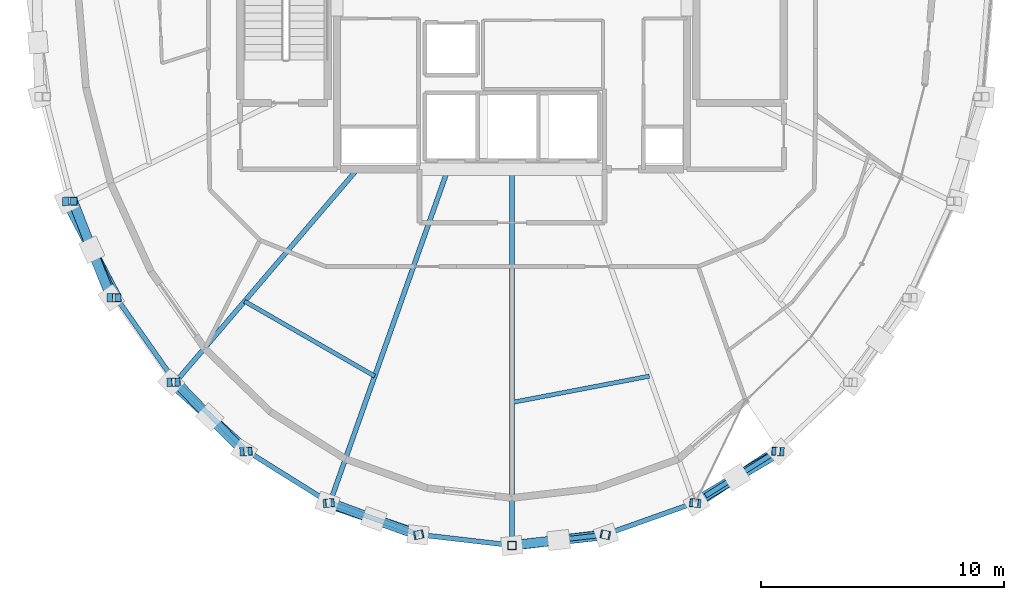
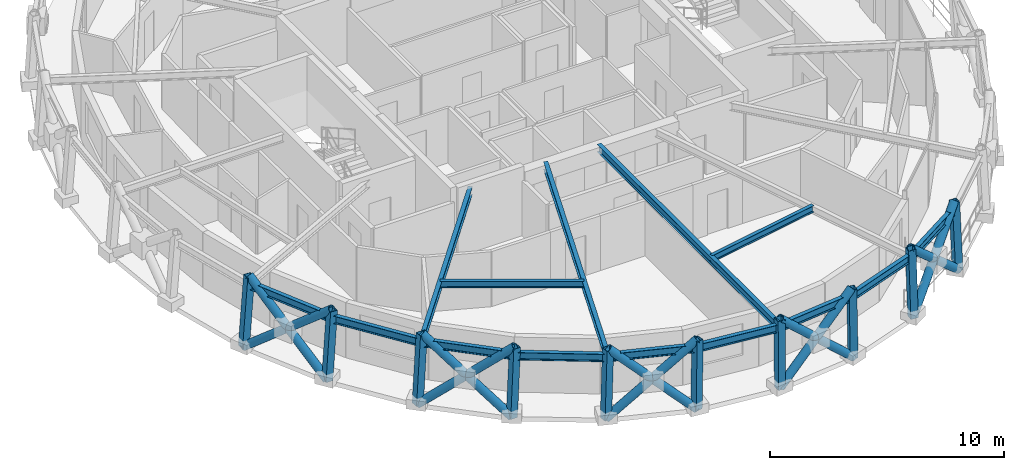
# One storey, part 1 of 15: 25 members, 14 beams.
"""IFC4 building model written with IfcOpenShell, lengths in metres."""

from ifc_helpers import new_model, si_unit, direction, frame, origin, origin_2d, place, context, subcontext, project, spatial, hollow_rectangle, hollow_circle, i_section, extrude, material, material_profile, profile_set, type_object, element, save


model = new_model("IFC4")

# Units and contexts
model_context = context("Model", 3, precision=1e-05, world=origin(), true_north=direction((0.0, 1.0)))
body_context = subcontext(model_context, "Body", "Model", "MODEL_VIEW")
ifc_project = project(units=[si_unit("LENGTHUNIT", "METRE"), si_unit("AREAUNIT", "SQUARE_METRE"), si_unit("VOLUMEUNIT", "CUBIC_METRE"), si_unit("PLANEANGLEUNIT", "RADIAN"), si_unit("MASSUNIT", "GRAM", prefix="KILO")], contexts=[model_context])

# Site, building, storey
site_placement = place(None, origin())
site = spatial("IfcSite", under=ifc_project, at=site_placement, CompositionType="ELEMENT")
building_placement = place(site_placement, origin())
building = spatial("IfcBuilding", under=site, at=building_placement, Name="Veldorina Hangang Commons", CompositionType="ELEMENT")
storey_placement = place(building_placement, frame((0.0, 0.0, 290.39990234375)))
storey = spatial("IfcBuildingStorey", under=building, at=storey_placement, Name="L76", CompositionType="ELEMENT", Elevation=290.39990234375)

# Beams
ifc_material = material(Name="Steel SM355-TMC", Category="steel")
ifc_material_profile_1 = material_profile(ifc_material, i_section(OverallWidth=0.199951171875, OverallDepth=0.39990234375, WebThickness=0.008056640625, FlangeThickness=0.012939453125, FilletRadius=0.012939453125, at=origin_2d()), Name="H-400x200x8x13")
ifc_profile_set_1 = profile_set([ifc_material_profile_1], Name="Steel SM355-TMC")
beam_type_1 = type_object("IfcBeamType", Name="BM-FG400", PredefinedType="BEAM", material=ifc_profile_set_1)
beam_1_placement = place(storey_placement, frame((25.63671875, 16.550048828125, 3.16015625), z_axis=(-0.649450592283, -0.760403792852, 0.0), x_axis=(0.760403792852, -0.649450592283, 0.0)))
element("IfcBeam", 1, at=beam_1_placement, inside=storey, type_object=beam_type_1, Name="L76 radial floor girder 11", PredefinedType="BEAM", context=body_context, shape_type="SweptSolid", body=[
    extrude(i_section(OverallWidth=0.199951171875, OverallDepth=0.39990234375, WebThickness=0.008056640625, FlangeThickness=0.012939453125, FilletRadius=0.012939453125, at=origin_2d()), origin(), (0.0, 0.0, 1.0), 11.51025390625),
])
beam_2_placement = place(storey_placement, frame((29.3642578125, 16.550048828125, 3.16015625), z_axis=(-0.33352818718, -0.94274012769, 0.0), x_axis=(0.94274012769, -0.33352818718, 0.0)))
element("IfcBeam", 2, at=beam_2_placement, inside=storey, type_object=beam_type_1, Name="L76 radial floor girder 12", PredefinedType="BEAM", context=body_context, shape_type="SweptSolid", body=[
    extrude(i_section(OverallWidth=0.199951171875, OverallDepth=0.39990234375, WebThickness=0.008056640625, FlangeThickness=0.012939453125, FilletRadius=0.012939453125, at=origin_2d()), origin(), (0.0, 0.0, 1.0), 14.552734375),
])
beam_3_placement = place(storey_placement, frame((32.0, 16.550048828125, 3.16015625), z_axis=(0.0, -1.0, 0.0), x_axis=(1.0, 0.0, 0.0)))
element("IfcBeam", 3, at=beam_3_placement, inside=storey, type_object=beam_type_1, Name="L76 radial floor girder 13", PredefinedType="BEAM", context=body_context, shape_type="SweptSolid", body=[
    extrude(i_section(OverallWidth=0.199951171875, OverallDepth=0.39990234375, WebThickness=0.008056640625, FlangeThickness=0.012939453125, FilletRadius=0.012939453125, at=origin_2d()), origin(), (0.0, 0.0, 1.0), 15.463623046875),
])
ifc_material_profile_2 = material_profile(ifc_material, i_section(OverallWidth=0.175048828125, OverallDepth=0.35009765625, WebThickness=0.007080078125, FlangeThickness=0.010986328125, FilletRadius=0.012939453125, at=origin_2d()), Name="H-350x175x7x11")
ifc_profile_set_2 = profile_set([ifc_material_profile_2], Name="Steel SM355-TMC")
beam_type_2 = type_object("IfcBeamType", Name="BM-JST350", PredefinedType="JOIST", material=ifc_profile_set_2)
beam_4_placement = place(storey_placement, frame((21.001953125, 11.12353515625, 3.18505859375), z_axis=(0.866794386354, -0.49866571146, 0.0), x_axis=(0.49866571146, 0.866794386354, 0.0)))
element("IfcBeam", 4, at=beam_4_placement, inside=storey, type_object=beam_type_2, Name="L76 secondary floor joist 11", PredefinedType="JOIST", context=body_context, shape_type="SweptSolid", body=[
    extrude(i_section(OverallWidth=0.175048828125, OverallDepth=0.35009765625, WebThickness=0.007080078125, FlangeThickness=0.010986328125, FilletRadius=0.012939453125, at=origin_2d()), origin(), (0.0, 0.0, 1.0), 6.17578125),
])
beam_5_placement = place(storey_placement, frame((32.0, 6.962646484375, 3.18505859375), z_axis=(0.982144339244, 0.188128936879, 0.0), x_axis=(-0.188128936879, 0.982144339244, 0.0)))
element("IfcBeam", 5, at=beam_5_placement, inside=storey, type_object=beam_type_2, Name="L76 secondary floor joist 13", PredefinedType="JOIST", context=body_context, shape_type="SweptSolid", body=[
    extrude(i_section(OverallWidth=0.175048828125, OverallDepth=0.35009765625, WebThickness=0.007080078125, FlangeThickness=0.010986328125, FilletRadius=0.012939453125, at=origin_2d()), origin(), (0.0, 0.0, 1.0), 5.74755859375),
])
ifc_material_profile_3 = material_profile(ifc_material, i_section(OverallWidth=0.199951171875, OverallDepth=0.39990234375, WebThickness=0.008056640625, FlangeThickness=0.012939453125, FilletRadius=0.012939453125, at=origin_2d()), Name="H-400x200x8x13")
ifc_profile_set_3 = profile_set([ifc_material_profile_3], Name="Steel SM355-TMC")
beam_type_3 = type_object("IfcBeamType", Name="BM-RB400", PredefinedType="BEAM", material=ifc_profile_set_3)
beam_6_placement = place(storey_placement, frame((13.9189453125, 15.231201171875, 3.16015625), z_axis=(0.415289323672, -0.909689385254, 0.0), x_axis=(0.909689385254, 0.415289323672, 0.0)))
element("IfcBeam", 6, at=beam_6_placement, inside=storey, type_object=beam_type_3, Name="L76 perimeter hoop ring beam 18", PredefinedType="BEAM", context=body_context, shape_type="SweptSolid", body=[
    extrude(i_section(OverallWidth=0.199951171875, OverallDepth=0.39990234375, WebThickness=0.008056640625, FlangeThickness=0.012939453125, FilletRadius=0.012939453125, at=origin_2d()), origin(), (0.0, 0.0, 1.0), 4.3544921875),
])
beam_7_placement = place(storey_placement, frame((15.727294921875, 11.27001953125, 3.16015625), z_axis=(0.57399930825, -0.818855783474, 0.0), x_axis=(0.818855783474, 0.57399930825, 0.0)))
element("IfcBeam", 7, at=beam_7_placement, inside=storey, type_object=beam_type_3, Name="L76 perimeter hoop ring beam 19", PredefinedType="BEAM", context=body_context, shape_type="SweptSolid", body=[
    extrude(i_section(OverallWidth=0.199951171875, OverallDepth=0.39990234375, WebThickness=0.008056640625, FlangeThickness=0.012939453125, FilletRadius=0.012939453125, at=origin_2d()), origin(), (0.0, 0.0, 1.0), 4.240478515625),
])
beam_8_placement = place(storey_placement, frame((18.161376953125, 7.797607421875, 3.16015625), z_axis=(0.721064584857, -0.692867854981, 0.0), x_axis=(0.692867854981, 0.721064584857, 0.0)))
element("IfcBeam", 8, at=beam_8_placement, inside=storey, type_object=beam_type_3, Name="L76 perimeter hoop ring beam 20", PredefinedType="BEAM", context=body_context, shape_type="SweptSolid", body=[
    extrude(i_section(OverallWidth=0.199951171875, OverallDepth=0.39990234375, WebThickness=0.008056640625, FlangeThickness=0.012939453125, FilletRadius=0.012939453125, at=origin_2d()), origin(), (0.0, 0.0, 1.0), 4.11279296875),
])
beam_9_placement = place(storey_placement, frame((21.126953125, 4.947998046875, 3.16015625), z_axis=(0.847692335446, -0.530488175577, 0.0), x_axis=(0.530488175577, 0.847692335446, 0.0)))
element("IfcBeam", 9, at=beam_9_placement, inside=storey, type_object=beam_type_3, Name="L76 perimeter hoop ring beam 21", PredefinedType="BEAM", context=body_context, shape_type="SweptSolid", body=[
    extrude(i_section(OverallWidth=0.199951171875, OverallDepth=0.39990234375, WebThickness=0.008056640625, FlangeThickness=0.012939453125, FilletRadius=0.012939453125, at=origin_2d()), origin(), (0.0, 0.0, 1.0), 3.991455078125),
])
beam_10_placement = place(storey_placement, frame((24.510498046875, 2.83056640625, 3.16015625), z_axis=(0.942330235689, -0.334684518474, 0.0), x_axis=(0.334684518474, 0.942330235689, 0.0)))
element("IfcBeam", 10, at=beam_10_placement, inside=storey, type_object=beam_type_3, Name="L76 perimeter hoop ring beam 22", PredefinedType="BEAM", context=body_context, shape_type="SweptSolid", body=[
    extrude(i_section(OverallWidth=0.199951171875, OverallDepth=0.39990234375, WebThickness=0.008056640625, FlangeThickness=0.012939453125, FilletRadius=0.012939453125, at=origin_2d()), origin(), (0.0, 0.0, 1.0), 3.89599609375),
])
for number, where, z_axis, x_axis, name in (
    (11, (28.181884765625, 1.526611328125, 3.16015625), (0.993419781155, -0.114530076439, 0.0), (0.114530076439, 0.993419781155, 0.0), "L76 perimeter hoop ring beam 23"),
    (12, (32.0, 1.08642578125, 3.16015625), (0.993419781155, 0.114530076439, 0.0), (-0.114530076439, 0.993419781155, 0.0), "L76 perimeter hoop ring beam 24"),
):
    element("IfcBeam", number, at=place(storey_placement, frame(where, z_axis=z_axis, x_axis=x_axis)), inside=storey, type_object=beam_type_3, Name=name, PredefinedType="BEAM", context=body_context, shape_type="SweptSolid", body=[
        extrude(i_section(OverallWidth=0.199951171875, OverallDepth=0.39990234375, WebThickness=0.008056640625, FlangeThickness=0.012939453125, FilletRadius=0.012939453125, at=origin_2d()), origin(), (0.0, 0.0, 1.0), 3.843505859375),
    ])
beam_11_placement = place(storey_placement, frame((35.818115234375, 1.526611328125, 3.16015625), z_axis=(0.942330235689, 0.334684518474, 0.0), x_axis=(-0.334684518474, 0.942330235689, 0.0)))
element("IfcBeam", 13, at=beam_11_placement, inside=storey, type_object=beam_type_3, Name="L76 perimeter hoop ring beam 25", PredefinedType="BEAM", context=body_context, shape_type="SweptSolid", body=[
    extrude(i_section(OverallWidth=0.199951171875, OverallDepth=0.39990234375, WebThickness=0.008056640625, FlangeThickness=0.012939453125, FilletRadius=0.012939453125, at=origin_2d()), origin(), (0.0, 0.0, 1.0), 3.89599609375),
])
beam_12_placement = place(storey_placement, frame((39.489501953125, 2.83056640625, 3.16015625), z_axis=(0.847692335446, 0.530488175577, 0.0), x_axis=(-0.530488175577, 0.847692335446, 0.0)))
element("IfcBeam", 14, at=beam_12_placement, inside=storey, type_object=beam_type_3, Name="L76 perimeter hoop ring beam 26", PredefinedType="BEAM", context=body_context, shape_type="SweptSolid", body=[
    extrude(i_section(OverallWidth=0.199951171875, OverallDepth=0.39990234375, WebThickness=0.008056640625, FlangeThickness=0.012939453125, FilletRadius=0.012939453125, at=origin_2d()), origin(), (0.0, 0.0, 1.0), 3.991455078125),
])

# Members
ifc_material_profile_4 = material_profile(ifc_material, hollow_circle(Radius=0.199951171875, WallThickness=0.02001953125, at=origin_2d()), Name="CHS-400x20")
ifc_profile_set_4 = profile_set([ifc_material_profile_4], Name="Steel SM355-TMC")
member_type_1 = type_object("IfcMemberType", Name="DG-CHS400", PredefinedType="BRACE", material=ifc_profile_set_4)
member_1_placement = place(storey_placement, frame((13.6875, 15.227294921875, 0.0), z_axis=(0.360714109681, -0.689843387007, 0.627695334123), x_axis=(0.886165231584, 0.46336938001, 0.0)))
element("IfcMember", 15, at=member_1_placement, inside=storey, type_object=member_type_1, Name="L76 continuous perimeter diagrid brace 18", PredefinedType="BRACE", context=body_context, shape_type="SweptSolid", body=[
    extrude(hollow_circle(Radius=0.199951171875, WallThickness=0.02001953125, at=origin_2d()), origin(), (0.0, 0.0, 1.0), 5.7353515625),
])
member_2_placement = place(storey_placement, frame((15.519287109375, 11.263916015625, 0.0), z_axis=(-0.284752304542, 0.709172994043, 0.644972704522), x_axis=(-0.9279871636, -0.372612163239, 0.0)))
element("IfcMember", 16, at=member_2_placement, inside=storey, type_object=member_type_1, Name="L76 split perimeter diagrid lower brace 19", PredefinedType="BRACE", context=body_context, shape_type="SweptSolid", body=[
    extrude(hollow_circle(Radius=0.199951171875, WallThickness=0.02001953125, at=origin_2d()), origin(), (0.0, 0.0, 1.0), 2.795166015625),
])
member_3_placement = place(storey_placement, frame((14.723388671875, 13.24609375, 1.802734375), z_axis=(-0.27702421931, 0.712398039794, 0.644784161417), x_axis=(-0.932013272639, -0.36242414327, 0.0)))
element("IfcMember", 17, at=member_3_placement, inside=storey, type_object=member_type_1, Name="L76 split perimeter diagrid upper brace 19", PredefinedType="BRACE", context=body_context, shape_type="SweptSolid", body=[
    extrude(hollow_circle(Radius=0.199951171875, WallThickness=0.02001953125, at=origin_2d()), origin(), (0.0, 0.0, 1.0), 2.78759765625),
])
member_4_placement = place(storey_placement, frame((17.984130859375, 7.7900390625, 0.0), z_axis=(0.567687631767, -0.509967828553, 0.646268958391), x_axis=(0.668275898146, 0.743913519138, 0.0)))
element("IfcMember", 18, at=member_4_placement, inside=storey, type_object=member_type_1, Name="L76 continuous perimeter diagrid brace 20", PredefinedType="BRACE", context=body_context, shape_type="SweptSolid", body=[
    extrude(hollow_circle(Radius=0.199951171875, WallThickness=0.02001953125, at=origin_2d()), origin(), (0.0, 0.0, 1.0), 5.570556640625),
])
member_5_placement = place(storey_placement, frame((20.98779296875, 4.939208984375, 0.0), z_axis=(-0.524124718408, 0.527286994764, 0.668776274031), x_axis=(-0.709230301674, -0.704976864292, 0.0)))
element("IfcMember", 19, at=member_5_placement, inside=storey, type_object=member_type_1, Name="L76 split perimeter diagrid lower brace 21", PredefinedType="BRACE", context=body_context, shape_type="SweptSolid", body=[
    extrude(hollow_circle(Radius=0.199951171875, WallThickness=0.02001953125, at=origin_2d()), origin(), (0.0, 0.0, 1.0), 2.7021484375),
])
member_6_placement = place(storey_placement, frame((19.571533203125, 6.364013671875, 1.80712890625), z_axis=(-0.516619746117, 0.534917643733, 0.668556020349), x_axis=(-0.719302317107, -0.694697183387, 0.0)))
element("IfcMember", 20, at=member_6_placement, inside=storey, type_object=member_type_1, Name="L76 split perimeter diagrid upper brace 21", PredefinedType="BRACE", context=body_context, shape_type="SweptSolid", body=[
    extrude(hollow_circle(Radius=0.199951171875, WallThickness=0.02001953125, at=origin_2d()), origin(), (0.0, 0.0, 1.0), 2.681884765625),
])
member_7_placement = place(storey_placement, frame((24.414794921875, 2.82080078125, 0.0), z_axis=(0.702323503941, -0.240574650884, 0.669974277987), x_axis=(0.324056754657, 0.946037641831, 0.0)))
element("IfcMember", 21, at=member_7_placement, inside=storey, type_object=member_type_1, Name="L76 continuous perimeter diagrid brace 22", PredefinedType="BRACE", context=body_context, shape_type="SweptSolid", body=[
    extrude(hollow_circle(Radius=0.199951171875, WallThickness=0.02001953125, at=origin_2d()), origin(), (0.0, 0.0, 1.0), 5.37353515625),
])
member_8_placement = place(storey_placement, frame((28.133056640625, 1.516357421875, 0.0), z_axis=(-0.686602192342, 0.246867168606, 0.683837722369), x_axis=(-0.338343776847, -0.941022576068, 0.0)))
element("IfcMember", 22, at=member_8_placement, inside=storey, type_object=member_type_1, Name="L76 split perimeter diagrid lower brace 23", PredefinedType="BRACE", context=body_context, shape_type="SweptSolid", body=[
    extrude(hollow_circle(Radius=0.199951171875, WallThickness=0.02001953125, at=origin_2d()), origin(), (0.0, 0.0, 1.0), 2.6494140625),
])
member_9_placement = place(storey_placement, frame((26.31396484375, 2.17041015625, 1.811767578125), z_axis=(-0.684433199342, 0.252975173243, 0.683779757935), x_axis=(-0.346689290759, -0.937980029464, 0.0)))
element("IfcMember", 23, at=member_9_placement, inside=storey, type_object=member_type_1, Name="L76 split perimeter diagrid upper brace 23", PredefinedType="BRACE", context=body_context, shape_type="SweptSolid", body=[
    extrude(hollow_circle(Radius=0.199951171875, WallThickness=0.02001953125, at=origin_2d()), origin(), (0.0, 0.0, 1.0), 2.615478515625),
])
member_10_placement = place(storey_placement, frame((32.0, 1.07568359375, 0.0), z_axis=(0.724268826582, 0.08596951737, 0.684137346536), x_axis=(-0.117870898916, 0.99302892767, 0.0)))
element("IfcMember", 24, at=member_10_placement, inside=storey, type_object=member_type_1, Name="L76 continuous perimeter diagrid brace 24", PredefinedType="BRACE", context=body_context, shape_type="SweptSolid", body=[
    extrude(hollow_circle(Radius=0.199951171875, WallThickness=0.02001953125, at=origin_2d()), origin(), (0.0, 0.0, 1.0), 5.26220703125),
])
member_11_placement = place(storey_placement, frame((35.866943359375, 1.516357421875, 0.0), z_axis=(-0.72964988342, -0.079659695219, 0.679165208608), x_axis=(0.108530348661, -0.99409313619, 0.0)))
element("IfcMember", 25, at=member_11_placement, inside=storey, type_object=member_type_1, Name="L76 split perimeter diagrid lower brace 25", PredefinedType="BRACE", context=body_context, shape_type="SweptSolid", body=[
    extrude(hollow_circle(Radius=0.199951171875, WallThickness=0.02001953125, at=origin_2d()), origin(), (0.0, 0.0, 1.0), 2.66943359375),
])
member_12_placement = place(storey_placement, frame((33.919189453125, 1.3037109375, 1.81298828125), z_axis=(-0.729375268231, -0.082021083465, 0.679179107423), x_axis=(0.111749520786, -0.993736405997, 0.0)))
element("IfcMember", 26, at=member_12_placement, inside=storey, type_object=member_type_1, Name="L76 split perimeter diagrid upper brace 25", PredefinedType="BRACE", context=body_context, shape_type="SweptSolid", body=[
    extrude(hollow_circle(Radius=0.199951171875, WallThickness=0.02001953125, at=origin_2d()), origin(), (0.0, 0.0, 1.0), 2.63134765625),
])
member_13_placement = place(storey_placement, frame((39.585205078125, 2.82080078125, 0.0), z_axis=(0.615756387736, 0.40099829598, 0.678265757343), x_axis=(-0.545712016989, 0.837972788648, 0.0)))
element("IfcMember", 27, at=member_13_placement, inside=storey, type_object=member_type_1, Name="L76 continuous perimeter diagrid brace 26", PredefinedType="BRACE", context=body_context, shape_type="SweptSolid", body=[
    extrude(hollow_circle(Radius=0.199951171875, WallThickness=0.02001953125, at=origin_2d()), origin(), (0.0, 0.0, 1.0), 5.307861328125),
])
member_14_placement = place(storey_placement, frame((43.01220703125, 4.939208984375, 0.0), z_axis=(-0.649012768411, -0.381432654669, 0.658248855974), x_axis=(0.506684978128, -0.862131273612, 0.0)))
element("IfcMember", 28, at=member_14_placement, inside=storey, type_object=member_type_1, Name="L76 split perimeter diagrid lower brace 27", PredefinedType="BRACE", context=body_context, shape_type="SweptSolid", body=[
    extrude(hollow_circle(Radius=0.199951171875, WallThickness=0.02001953125, at=origin_2d()), origin(), (0.0, 0.0, 1.0), 2.7490234375),
])
member_15_placement = place(storey_placement, frame((41.22802734375, 3.890625, 1.8095703125), z_axis=(-0.644207146749, -0.389253370722, 0.658391194852), x_axis=(0.51715932773, -0.855889145709, 0.0)))
element("IfcMember", 29, at=member_15_placement, inside=storey, type_object=member_type_1, Name="L76 split perimeter diagrid upper brace 27", PredefinedType="BRACE", context=body_context, shape_type="SweptSolid", body=[
    extrude(hollow_circle(Radius=0.199951171875, WallThickness=0.02001953125, at=origin_2d()), origin(), (0.0, 0.0, 1.0), 2.719482421875),
])
ifc_material_profile_5 = material_profile(ifc_material, hollow_rectangle(XDim=0.35009765625, YDim=0.35009765625, WallThickness=0.01611328125, at=origin_2d()), Name="SHS-350x350x16")
ifc_profile_set_5 = profile_set([ifc_material_profile_5], Name="Steel SM355-TMC")
member_type_2 = type_object("IfcMemberType", Name="STR-SHS350", PredefinedType="STRUT", material=ifc_profile_set_5)
member_16_placement = place(storey_placement, frame((13.6875, 15.227294921875, 0.0), z_axis=(0.073044492313, 0.001285041994, 0.997327855226), x_axis=(-0.017589870777, 0.999845286255, 0.0)))
element("IfcMember", 30, at=member_16_placement, inside=storey, type_object=member_type_2, Name="L76 perimeter ring node post 18", PredefinedType="STRUT", context=body_context, shape_type="SweptSolid", body=[
    extrude(hollow_rectangle(XDim=0.35009765625, YDim=0.35009765625, WallThickness=0.01611328125, at=origin_2d()), origin(), (0.0, 0.0, 1.0), 3.60986328125),
])
member_17_placement = place(storey_placement, frame((15.519287109375, 11.263916015625, 0.0), z_axis=(0.065705950806, 0.001894713309, 0.997837230259), x_axis=(-0.028824269664, 0.999584494417, 0.0)))
element("IfcMember", 31, at=member_17_placement, inside=storey, type_object=member_type_2, Name="L76 perimeter ring node post 19", PredefinedType="STRUT", context=body_context, shape_type="SweptSolid", body=[
    extrude(hollow_rectangle(XDim=0.35009765625, YDim=0.35009765625, WallThickness=0.01611328125, at=origin_2d()), origin(), (0.0, 0.0, 1.0), 3.60791015625),
])
member_18_placement = place(storey_placement, frame((17.984130859375, 7.7900390625, 0.0), z_axis=(0.055994856807, 0.002369794424, 0.998428244836), x_axis=(-0.042283793731, 0.999105640454, 0.0)))
element("IfcMember", 32, at=member_18_placement, inside=storey, type_object=member_type_2, Name="L76 perimeter ring node post 20", PredefinedType="STRUT", context=body_context, shape_type="SweptSolid", body=[
    extrude(hollow_rectangle(XDim=0.35009765625, YDim=0.35009765625, WallThickness=0.01611328125, at=origin_2d()), origin(), (0.0, 0.0, 1.0), 3.605712890625),
])
member_19_placement = place(storey_placement, frame((20.98779296875, 4.939208984375, 0.0), z_axis=(0.044036818843, 0.002777707035, 0.999026047173), x_axis=(-0.06295181426, 0.998016567539, 0.0)))
element("IfcMember", 33, at=member_19_placement, inside=storey, type_object=member_type_2, Name="L76 perimeter ring node post 21", PredefinedType="STRUT", context=body_context, shape_type="SweptSolid", body=[
    extrude(hollow_rectangle(XDim=0.35009765625, YDim=0.35009765625, WallThickness=0.01611328125, at=origin_2d()), origin(), (0.0, 0.0, 1.0), 3.603515625),
])
member_20_placement = place(storey_placement, frame((24.414794921875, 2.82080078125, 0.0), z_axis=(0.030299240211, 0.003118042617, 0.999536009283), x_axis=(-0.102367662345, 0.994746631915, 0.0)))
element("IfcMember", 34, at=member_20_placement, inside=storey, type_object=member_type_2, Name="L76 perimeter ring node post 22", PredefinedType="STRUT", context=body_context, shape_type="SweptSolid", body=[
    extrude(hollow_rectangle(XDim=0.35009765625, YDim=0.35009765625, WallThickness=0.01611328125, at=origin_2d()), origin(), (0.0, 0.0, 1.0), 3.601806640625),
])
member_21_placement = place(storey_placement, frame((28.133056640625, 1.516357421875, 0.0), z_axis=(0.015459890388, 0.003254713766, 0.999875191525), x_axis=(-0.20601048105, 0.978549784987, 0.0)))
element("IfcMember", 35, at=member_21_placement, inside=storey, type_object=member_type_2, Name="L76 perimeter ring node post 23", PredefinedType="STRUT", context=body_context, shape_type="SweptSolid", body=[
    extrude(hollow_rectangle(XDim=0.35009765625, YDim=0.35009765625, WallThickness=0.01611328125, at=origin_2d()), origin(), (0.0, 0.0, 1.0), 3.6005859375),
])
member_22_placement = place(storey_placement, frame((32.0, 1.07568359375, 0.0), z_axis=(0.0, 0.003390730542, 0.999994251457), x_axis=(-1.0, 0.0, 0.0)))
element("IfcMember", 36, at=member_22_placement, inside=storey, type_object=member_type_2, Name="L76 perimeter ring node post 24", PredefinedType="STRUT", context=body_context, shape_type="SweptSolid", body=[
    extrude(hollow_rectangle(XDim=0.35009765625, YDim=0.35009765625, WallThickness=0.01611328125, at=origin_2d()), origin(), (0.0, 0.0, 1.0), 3.60009765625),
])
member_23_placement = place(storey_placement, frame((35.866943359375, 1.516357421875, 0.0), z_axis=(-0.015459890388, 0.003254713766, 0.999875191525), x_axis=(-0.20601048105, -0.978549784987, 0.0)))
element("IfcMember", 37, at=member_23_placement, inside=storey, type_object=member_type_2, Name="L76 perimeter ring node post 25", PredefinedType="STRUT", context=body_context, shape_type="SweptSolid", body=[
    extrude(hollow_rectangle(XDim=0.35009765625, YDim=0.35009765625, WallThickness=0.01611328125, at=origin_2d()), origin(), (0.0, 0.0, 1.0), 3.6005859375),
])
member_24_placement = place(storey_placement, frame((39.585205078125, 2.82080078125, 0.0), z_axis=(-0.030299240211, 0.003118042617, 0.999536009283), x_axis=(-0.102367662345, -0.994746631915, 0.0)))
element("IfcMember", 38, at=member_24_placement, inside=storey, type_object=member_type_2, Name="L76 perimeter ring node post 26", PredefinedType="STRUT", context=body_context, shape_type="SweptSolid", body=[
    extrude(hollow_rectangle(XDim=0.35009765625, YDim=0.35009765625, WallThickness=0.01611328125, at=origin_2d()), origin(), (0.0, 0.0, 1.0), 3.601806640625),
])
member_25_placement = place(storey_placement, frame((43.01220703125, 4.939208984375, 0.0), z_axis=(-0.044036818843, 0.002777707035, 0.999026047173), x_axis=(-0.06295181426, -0.998016567539, 0.0)))
element("IfcMember", 39, at=member_25_placement, inside=storey, type_object=member_type_2, Name="L76 perimeter ring node post 27", PredefinedType="STRUT", context=body_context, shape_type="SweptSolid", body=[
    extrude(hollow_rectangle(XDim=0.35009765625, YDim=0.35009765625, WallThickness=0.01611328125, at=origin_2d()), origin(), (0.0, 0.0, 1.0), 3.603515625),
])

save(model, "model.ifc")
